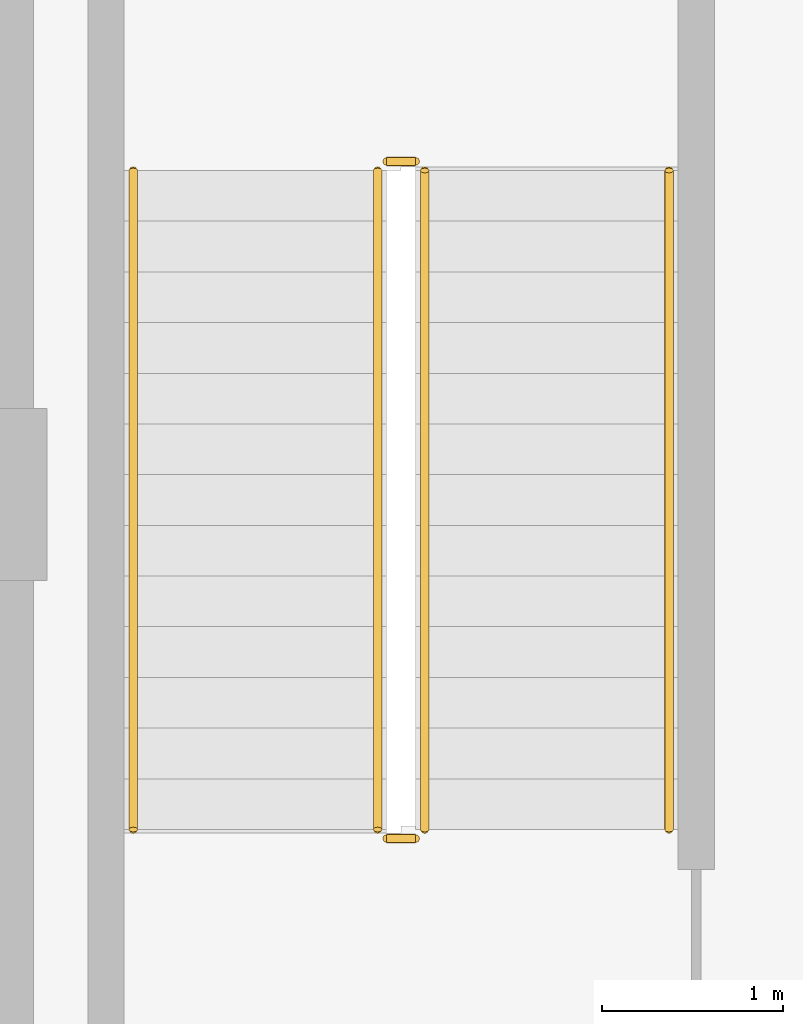
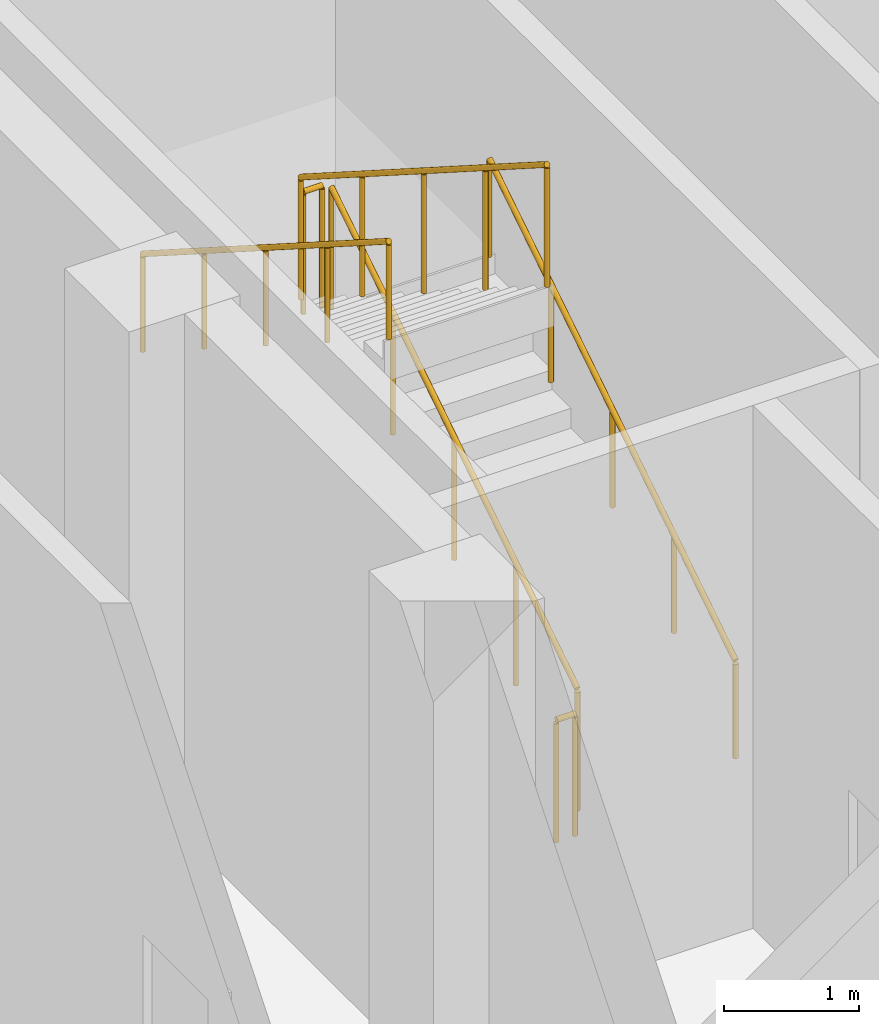
# One storey, part 11 of 13: 6 railings.
"""IFC4 building model written with IfcOpenShell, lengths in metres."""

import ifcopenshell
import ifcopenshell.guid

model = None  # the IFC model being written
_history = None  # IfcOwnerHistory: only IFC2X3 demands one
_inside = {}  # id of a spatial element -> (the spatial element, [elements in it])
_under = {}  # id of a project, library or spatial element -> (it, [spatial elements below it])
_declared = {}  # id of a project -> (the project, [libraries it declares])
_typed = {}  # id of a type object -> (the type object, [elements of that type])
_made_of = {}  # id of a material, layer set ... -> (it, [elements and type objects made of it])


def new_model(schema):
    """Start an empty IFC model of exactly this schema.

    Asked for "IFC4X3", IfcOpenShell would pick the latest addendum, in which some entities
    have other attributes; the version numbers below select the first issue.
    IFC2X3 requires an IfcOwnerHistory on every rooted entity: one is made here for all.
    """
    global model, _history
    if schema == "IFC4X3":
        model = ifcopenshell.file(schema_version=(4, 3, 0, 0))
    else:
        model = ifcopenshell.file(schema=schema)
    _inside.clear()
    _under.clear()
    _declared.clear()
    _typed.clear()
    _made_of.clear()
    _history = None
    if model.schema == "IFC2X3":
        org = make("IfcOrganization", Name="unknown")
        user = make(
            "IfcPersonAndOrganization",
            ThePerson=make("IfcPerson", FamilyName="unknown"),
            TheOrganization=org,
        )
        app = make(
            "IfcApplication",
            ApplicationDeveloper=org,
            Version="unknown",
            ApplicationFullName="unknown",
            ApplicationIdentifier="unknown",
        )
        _history = make(
            "IfcOwnerHistory",
            OwningUser=user,
            OwningApplication=app,
            ChangeAction="ADDED",
            CreationDate=0,
        )
    return model


def make(cls, **values):
    """One entity of the class cls with the attributes given. An attribute that is None is left unset."""
    return model.create_entity(
        cls, **{name: value for name, value in values.items() if value is not None}
    )


def rooted(cls, **values):
    """An entity with a GlobalId (a new one), such as an element, a storey or a relation."""
    return make(cls, GlobalId=ifcopenshell.guid.new(), OwnerHistory=_history, **values)


def si_unit(unit_type, name, prefix=None):
    """IfcSIUnit, for example si_unit("LENGTHUNIT", "METRE", prefix="MILLI")."""
    return make("IfcSIUnit", UnitType=unit_type, Prefix=prefix, Name=name)


def assignment(units):
    """IfcUnitAssignment: the units of a project."""
    return None if units is None else make("IfcUnitAssignment", Units=units)


def point(xyz):
    """IfcCartesianPoint."""
    return None if xyz is None else make("IfcCartesianPoint", Coordinates=xyz)


def direction(xyz):
    """IfcDirection."""
    return None if xyz is None else make("IfcDirection", DirectionRatios=xyz)


def frame(location, z_axis=None, x_axis=None):
    """IfcAxis2Placement3D, a coordinate frame: its origin and axes. An axis left out is left unset."""
    return make(
        "IfcAxis2Placement3D",
        Location=point(location),
        Axis=direction(z_axis),
        RefDirection=direction(x_axis),
    )


def frame_2d(location, x_axis=None):
    """IfcAxis2Placement2D, a coordinate frame in the plane: its origin and x axis."""
    return make(
        "IfcAxis2Placement2D", Location=point(location), RefDirection=direction(x_axis)
    )


def origin():
    """The frame at (0, 0, 0) with its axes left unset."""
    return frame((0.0, 0.0, 0.0))


def origin_2d():
    """The frame at (0, 0) in the plane with its x axis left unset."""
    return frame_2d((0.0, 0.0))


def place(relative_to, where):
    """IfcLocalPlacement: puts the frame where relative to a parent placement (None: the world)."""
    return make(
        "IfcLocalPlacement", PlacementRelTo=relative_to, RelativePlacement=where
    )


def context(
    kind, dimensions, precision=None, world=None, true_north=None, identifier=None
):
    """IfcGeometricRepresentationContext, for example the 3D "Model" context."""
    return make(
        "IfcGeometricRepresentationContext",
        ContextIdentifier=identifier,
        ContextType=kind,
        CoordinateSpaceDimension=dimensions,
        Precision=precision,
        WorldCoordinateSystem=world,
        TrueNorth=true_north,
    )


def subcontext(parent, identifier, kind, view, scale=None):
    """IfcGeometricRepresentationSubContext, for example "Body" below "Model"."""
    return make(
        "IfcGeometricRepresentationSubContext",
        ContextIdentifier=identifier,
        ContextType=kind,
        ParentContext=parent,
        TargetScale=scale,
        TargetView=view,
    )


def project(units=None, contexts=None):
    """IfcProject with its units and contexts."""
    return rooted(
        "IfcProject",
        Name="project",
        RepresentationContexts=contexts,
        UnitsInContext=assignment(units),
    )


def spatial(cls, under=None, at=None, **own):
    """A site, building, storey or space (cls), placed at a placement, below another one or the project."""
    s = rooted(cls, ObjectPlacement=at, **own)
    if under is not None:
        _under.setdefault(under.id(), (under, []))[1].append(s)
    return s


def profile(cls, at=None, kind="AREA", **sizes):
    """A parametric profile (cls). Its sizes go by their IFC names, for example OverallWidth=200.0."""
    return make(cls, ProfileType=kind, Position=at, **sizes)


def circle(**sizes):
    """IfcCircleProfileDef."""
    return profile("IfcCircleProfileDef", **sizes)


def extrude(swept, where, along, depth):
    """IfcExtrudedAreaSolid: the profile swept, set in the frame where, extruded along a direction by depth."""
    return make(
        "IfcExtrudedAreaSolid",
        SweptArea=swept,
        Position=where,
        ExtrudedDirection=direction(along),
        Depth=depth,
    )


def shape(context_of_items, identifier, shape_type, items):
    """IfcShapeRepresentation: the items that make up one representation, for example the "Body"."""
    return make(
        "IfcShapeRepresentation",
        ContextOfItems=context_of_items,
        RepresentationIdentifier=identifier,
        RepresentationType=shape_type,
        Items=items,
    )


def material(Name=None, Category=None):
    """IfcMaterial."""
    return make("IfcMaterial", Name=Name, Category=Category)


def made_of(thing, what):
    """Note that an element or type object is made of a material, layer set ...; save() writes the relation."""
    if what is not None:
        _made_of.setdefault(what.id(), (what, []))[1].append(thing)
    return thing


def type_object(cls, material=None, **own):
    """A type object (cls), such as IfcWallType, which elements share."""
    return made_of(rooted(cls, **own), material)


def element(
    cls,
    number,
    at=None,
    inside=None,
    cuts=None,
    type_object=None,
    material=None,
    context=None,
    identifier="Body",
    shape_type=None,
    held_by="IfcProductDefinitionShape",
    body=None,
    shapes=None,
    **own,
):
    """One element of the class cls, such as IfcWall. Its Tag is "e" and its number.

    at: its placement. inside: the storey or other place that contains it. cuts: it is an
    opening in that element (IfcRelVoidsElement). A single representation is given by context,
    identifier, shape_type and body (its items); several are given by shapes. held_by: the class
    of the entity that holds the representations. save() writes the other relations.
    """
    e = rooted(cls, Tag="e%d" % number, ObjectPlacement=at, **own)
    if body is not None:
        shapes = [shape(context, identifier, shape_type, body)]
    if shapes is not None:
        e.Representation = make(held_by, Representations=shapes)
    if inside is not None:
        _inside.setdefault(inside.id(), (inside, []))[1].append(e)
    if cuts is not None:
        rooted(
            "IfcRelVoidsElement", RelatingBuildingElement=cuts, RelatedOpeningElement=e
        )
    if type_object is not None:
        _typed.setdefault(type_object.id(), (type_object, []))[1].append(e)
    return made_of(e, material)


def aggregate(whole, parts):
    """IfcRelAggregates: a whole, such as a stair, and the parts it consists of."""
    return rooted("IfcRelAggregates", RelatingObject=whole, RelatedObjects=parts)


def save(model, path):
    """Write the relations noted so far, then the file.

    IfcRelAggregates (storeys below a building ...), IfcRelContainedInSpatialStructure (elements
    in a storey), IfcRelDefinesByType, IfcRelAssociatesMaterial and IfcRelDeclares: one each for
    every whole, place, type object, material and project.
    """
    for whole, parts in _under.values():
        aggregate(whole, parts)
    for where, things in _inside.values():
        rooted(
            "IfcRelContainedInSpatialStructure",
            RelatedElements=things,
            RelatingStructure=where,
        )
    for kind, things in _typed.values():
        rooted("IfcRelDefinesByType", RelatedObjects=things, RelatingType=kind)
    for what, things in _made_of.values():
        rooted("IfcRelAssociatesMaterial", RelatedObjects=things, RelatingMaterial=what)
    for by, libraries in _declared.values():
        rooted("IfcRelDeclares", RelatingContext=by, RelatedDefinitions=libraries)
    model.write(path)


model = new_model("IFC4")

# Units and contexts
model_context = context("Model", 3, precision=1e-05, world=origin(), true_north=direction((0.0, 1.0)))
body_context = subcontext(model_context, "Body", "Model", "MODEL_VIEW")
ifc_project = project(units=[si_unit("LENGTHUNIT", "METRE"), si_unit("AREAUNIT", "SQUARE_METRE"), si_unit("VOLUMEUNIT", "CUBIC_METRE"), si_unit("PLANEANGLEUNIT", "RADIAN"), si_unit("MASSUNIT", "GRAM", prefix="KILO")], contexts=[model_context])

# Site, building, storey
site_placement = place(None, origin())
site = spatial("IfcSite", under=ifc_project, at=site_placement, CompositionType="ELEMENT")
building_placement = place(site_placement, origin())
building = spatial("IfcBuilding", under=site, at=building_placement, Name="Nuvemarco Arch Tower", CompositionType="ELEMENT")
storey_placement = place(building_placement, frame((0.0, 0.0, 185.89990234375)))
storey = spatial("IfcBuildingStorey", under=building, at=storey_placement, Name="L49", CompositionType="ELEMENT", Elevation=185.89990234375)

# Railings
ifc_material_1 = material(Name="Brushed stainless steel handrail", Category="steel")
railing_type_1 = type_object("IfcRailingType", Name="RL-HANDRAIL-900", PredefinedType="HANDRAIL", material=ifc_material_1)
railing_1_placement = place(storey_placement, frame((-13.590087890625, 2.64990234375, 0.1787109375)))
element("IfcRailing", 1, at=railing_1_placement, inside=storey, type_object=railing_type_1, Name="L49 ST-1 stair handrail 1", PredefinedType="HANDRAIL", context=body_context, shape_type="SweptSolid", body=[
    extrude(circle(Radius=0.02392578125, at=origin_2d()), frame((0.0, 0.0, 0.8759765625), z_axis=(0.0, 0.843153495434, 0.537672933239), x_axis=(-1.0, 0.0, 0.0)), (0.0, 0.0, 1.0), 4.3173828125),
    extrude(circle(Radius=0.02099609375, at=origin_2d()), origin(), (0.0, 0.0, 1.0), 0.851806640625),
    extrude(circle(Radius=0.02099609375, at=origin_2d()), frame((0.0, 0.91015625, 0.580322265625)), (0.0, 0.0, 1.0), 0.851806640625),
    extrude(circle(Radius=0.02099609375, at=origin_2d()), frame((0.0, 1.820068359375, 1.16064453125)), (0.0, 0.0, 1.0), 0.851806640625),
    extrude(circle(Radius=0.02099609375, at=origin_2d()), frame((0.0, 2.72998046875, 1.740966796875)), (0.0, 0.0, 1.0), 0.851806640625),
    extrude(circle(Radius=0.02099609375, at=origin_2d()), frame((0.0, 3.64013671875, 2.3212890625)), (0.0, 0.0, 1.0), 0.851806640625),
])
railing_2_placement = place(storey_placement, frame((-16.550048828125, 6.2900390625, 2.6787109375)))
element("IfcRailing", 2, at=railing_2_placement, inside=storey, type_object=railing_type_1, Name="L49 ST-1 stair handrail 2", PredefinedType="HANDRAIL", context=body_context, shape_type="SweptSolid", body=[
    extrude(circle(Radius=0.02392578125, at=origin_2d()), frame((0.0, 0.0, 0.8759765625), z_axis=(0.0, -0.843153495434, 0.537672933239), x_axis=(1.0, 0.0, 0.0)), (0.0, 0.0, 1.0), 4.3173828125),
    extrude(circle(Radius=0.02099609375, at=origin_2d()), origin(), (0.0, 0.0, 1.0), 0.851806640625),
    extrude(circle(Radius=0.02099609375, at=origin_2d()), frame((0.0, -0.91015625, 0.580322265625)), (0.0, 0.0, 1.0), 0.851806640625),
    extrude(circle(Radius=0.02099609375, at=origin_2d()), frame((0.0, -1.820068359375, 1.16064453125)), (0.0, 0.0, 1.0), 0.851806640625),
    extrude(circle(Radius=0.02099609375, at=origin_2d()), frame((0.0, -2.72998046875, 1.740966796875)), (0.0, 0.0, 1.0), 0.851806640625),
    extrude(circle(Radius=0.02099609375, at=origin_2d()), frame((0.0, -3.64013671875, 2.3212890625)), (0.0, 0.0, 1.0), 0.851806640625),
])
ifc_material_2 = material(Name="Painted balustrade steel S355", Category="steel")
railing_type_2 = type_object("IfcRailingType", Name="RL-STAIR-GUARD", PredefinedType="GUARDRAIL", material=ifc_material_2)
railing_3_placement = place(storey_placement, frame((-14.93994140625, 2.64990234375, 0.1787109375)))
element("IfcRailing", 3, at=railing_3_placement, inside=storey, type_object=railing_type_2, Name="L49 ST-1 stair guard 1", PredefinedType="GUARDRAIL", context=body_context, shape_type="SweptSolid", body=[
    extrude(circle(Radius=0.02392578125, at=origin_2d()), frame((0.0, 0.0, 1.09619140625), z_axis=(0.0, 0.843153495434, 0.537672933239), x_axis=(-1.0, 0.0, 0.0)), (0.0, 0.0, 1.0), 4.3173828125),
    extrude(circle(Radius=0.02099609375, at=origin_2d()), origin(), (0.0, 0.0, 1.0), 1.072021484375),
    extrude(circle(Radius=0.02099609375, at=origin_2d()), frame((0.0, 0.91015625, 0.580322265625)), (0.0, 0.0, 1.0), 1.072021484375),
    extrude(circle(Radius=0.02099609375, at=origin_2d()), frame((0.0, 1.820068359375, 1.16064453125)), (0.0, 0.0, 1.0), 1.072021484375),
    extrude(circle(Radius=0.02099609375, at=origin_2d()), frame((0.0, 2.72998046875, 1.740966796875)), (0.0, 0.0, 1.0), 1.072021484375),
    extrude(circle(Radius=0.02099609375, at=origin_2d()), frame((0.0, 3.64013671875, 2.3212890625)), (0.0, 0.0, 1.0), 1.072021484375),
])
railing_4_placement = place(storey_placement, frame((-14.989990234375, 6.340087890625, 2.5)))
element("IfcRailing", 4, at=railing_4_placement, inside=storey, type_object=railing_type_2, Name="L49 ST-1 stair guard 2", PredefinedType="GUARDRAIL", context=body_context, shape_type="SweptSolid", body=[
    extrude(circle(Radius=0.02392578125, at=origin_2d()), frame((0.0, 0.0, 1.09619140625), z_axis=(-1.0, 0.0, 0.0), x_axis=(0.0, -1.0, 0.0)), (0.0, 0.0, 1.0), 0.159912109375),
    extrude(circle(Radius=0.02099609375, at=origin_2d()), origin(), (0.0, 0.0, 1.0), 1.072021484375),
    extrude(circle(Radius=0.02099609375, at=origin_2d()), frame((-0.159912109375, 0.0, 0.0)), (0.0, 0.0, 1.0), 1.072021484375),
])
railing_5_placement = place(storey_placement, frame((-15.199951171875, 6.2900390625, 2.6787109375)))
element("IfcRailing", 5, at=railing_5_placement, inside=storey, type_object=railing_type_2, Name="L49 ST-1 stair guard 3", PredefinedType="GUARDRAIL", context=body_context, shape_type="SweptSolid", body=[
    extrude(circle(Radius=0.02392578125, at=origin_2d()), frame((0.0, 0.0, 1.09619140625), z_axis=(0.0, -0.843153495434, 0.537672933239), x_axis=(1.0, 0.0, 0.0)), (0.0, 0.0, 1.0), 4.3173828125),
    extrude(circle(Radius=0.02099609375, at=origin_2d()), origin(), (0.0, 0.0, 1.0), 1.072021484375),
    extrude(circle(Radius=0.02099609375, at=origin_2d()), frame((0.0, -0.91015625, 0.580322265625)), (0.0, 0.0, 1.0), 1.072021484375),
    extrude(circle(Radius=0.02099609375, at=origin_2d()), frame((0.0, -1.820068359375, 1.16064453125)), (0.0, 0.0, 1.0), 1.072021484375),
    extrude(circle(Radius=0.02099609375, at=origin_2d()), frame((0.0, -2.72998046875, 1.740966796875)), (0.0, 0.0, 1.0), 1.072021484375),
    extrude(circle(Radius=0.02099609375, at=origin_2d()), frame((0.0, -3.64013671875, 2.3212890625)), (0.0, 0.0, 1.0), 1.072021484375),
])
railing_6_placement = place(storey_placement, frame((-14.989990234375, 2.60009765625, 0.0)))
element("IfcRailing", 6, at=railing_6_placement, inside=storey, type_object=railing_type_2, Name="L49 ST-1 stair guard 4", PredefinedType="GUARDRAIL", context=body_context, shape_type="SweptSolid", body=[
    extrude(circle(Radius=0.02392578125, at=origin_2d()), frame((0.0, 0.0, 1.09619140625), z_axis=(-1.0, 0.0, 0.0), x_axis=(0.0, -1.0, 0.0)), (0.0, 0.0, 1.0), 0.159912109375),
    extrude(circle(Radius=0.02099609375, at=origin_2d()), origin(), (0.0, 0.0, 1.0), 1.072021484375),
    extrude(circle(Radius=0.02099609375, at=origin_2d()), frame((-0.159912109375, 0.0, 0.0)), (0.0, 0.0, 1.0), 1.072021484375),
])

save(model, "model.ifc")
